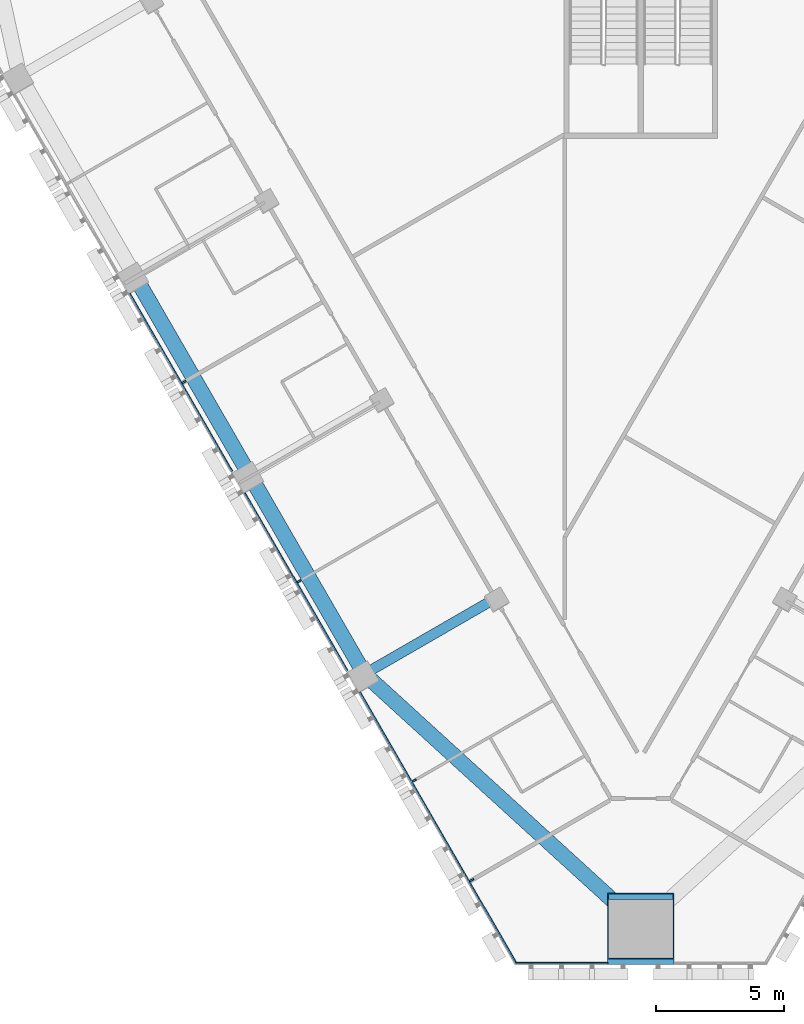
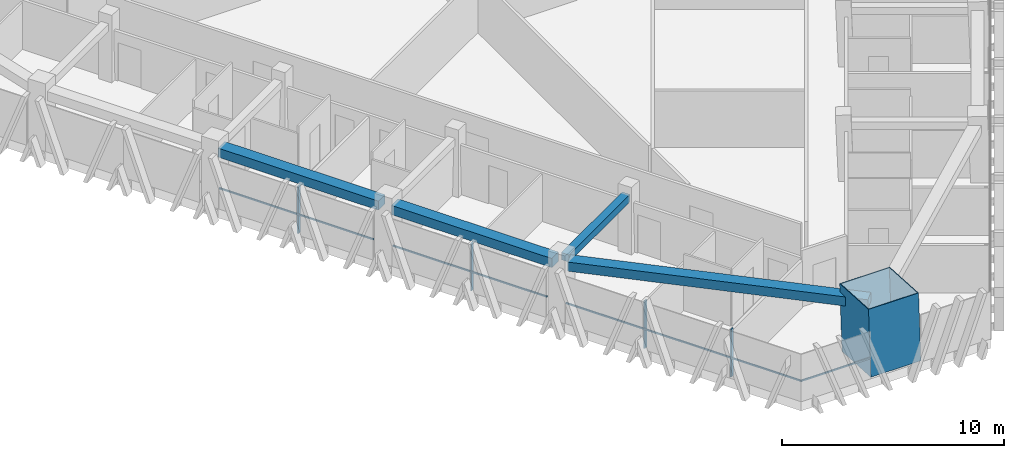
# One storey, part 2 of 18: 9 members, 4 beams, 2 elements without a shape of their own.
"""IFC4 building model written with IfcOpenShell, lengths in metres."""

from ifc_helpers import new_model, si_unit, direction, frame, origin, origin_2d, place, context, subcontext, project, spatial, rectangle, hollow_rectangle, extrude, material, layer, layer_set, material_profile, profile_set, type_object, element, aggregate, save


model = new_model("IFC4")

# Units and contexts
model_context = context("Model", 3, precision=1e-05, world=origin(), true_north=direction((0.0, 1.0)))
body_context = subcontext(model_context, "Body", "Model", "MODEL_VIEW")
ifc_project = project(units=[si_unit("LENGTHUNIT", "METRE"), si_unit("AREAUNIT", "SQUARE_METRE"), si_unit("VOLUMEUNIT", "CUBIC_METRE"), si_unit("PLANEANGLEUNIT", "RADIAN"), si_unit("MASSUNIT", "GRAM", prefix="KILO")], contexts=[model_context])

# Site, building, storey
site_placement = place(None, origin())
site = spatial("IfcSite", under=ifc_project, at=site_placement, CompositionType="ELEMENT")
building_placement = place(site_placement, origin())
building = spatial("IfcBuilding", under=site, at=building_placement, Name="Altiplano Prism Tower", CompositionType="ELEMENT")
storey_placement = place(building_placement, frame((0.0, 0.0, 34.199951171875)))
storey = spatial("IfcBuildingStorey", under=building, at=storey_placement, Name="L07", CompositionType="ELEMENT", Elevation=34.199951171875)

# Curtain wall, members
ifc_material_1 = material(Name="Aluminium and glass", Category="aluminium")
ifc_layer = layer(ifc_material_1, 0.280029296875)
ifc_layer_set = layer_set([ifc_layer], Name="Aluminium and glass")
curtain_wall_type = type_object("IfcCurtainWallType", Name="CW1 typical co-living unitised curtain wall", PredefinedType="NOTDEFINED", material=ifc_layer_set)
curtain_wall_1_placement = place(storey_placement, origin())
curtain_wall_1 = element("IfcCurtainWall", 1, at=curtain_wall_1_placement, inside=storey, type_object=curtain_wall_type, Name="CW1 curtain wall south-west face L07", PredefinedType="NOTDEFINED")
ifc_material_2 = material(Name="Aluminium", Category="aluminium")
ifc_material_profile_1 = material_profile(ifc_material_2, rectangle(XDim=0.179931640625, YDim=0.06494140625, at=origin_2d()), Name="CW1 mullion 65 x 180")
ifc_profile_set_1 = profile_set([ifc_material_profile_1], Name="Aluminium")
member_type_1 = type_object("IfcMemberType", Name="CW1 mullion 65 x 180", PredefinedType="MULLION", material=ifc_profile_set_1)
member_1_placement = place(storey_placement, frame((67.137939453125, 73.8720703125, 0.0), z_axis=(0.0, 0.0, 1.0), x_axis=(0.866025410216, 0.49999998886, 0.0)))
member_1 = element("IfcMember", 2, at=member_1_placement, type_object=member_type_1, Name="CW1 mullion", PredefinedType="MULLION", context=body_context, shape_type="SweptSolid", body=[
    extrude(rectangle(XDim=0.179931640625, YDim=0.06494140625, at=origin_2d()), origin(), (0.0, 0.0, 1.0), 2.60009765625),
])
member_2_placement = place(storey_placement, frame((71.637939453125, 66.077880859375, 0.0), z_axis=(0.0, 0.0, 1.0), x_axis=(0.866025410216, 0.49999998886, 0.0)))
member_2 = element("IfcMember", 3, at=member_2_placement, type_object=member_type_1, Name="CW1 mullion", PredefinedType="MULLION", context=body_context, shape_type="SweptSolid", body=[
    extrude(rectangle(XDim=0.179931640625, YDim=0.06494140625, at=origin_2d()), origin(), (0.0, 0.0, 1.0), 2.60009765625),
])
member_3_placement = place(storey_placement, frame((76.137939453125, 58.28369140625, 0.0), z_axis=(0.0, 0.0, 1.0), x_axis=(0.866025410216, 0.49999998886, 0.0)))
member_3 = element("IfcMember", 4, at=member_3_placement, type_object=member_type_1, Name="CW1 mullion", PredefinedType="MULLION", context=body_context, shape_type="SweptSolid", body=[
    extrude(rectangle(XDim=0.179931640625, YDim=0.06494140625, at=origin_2d()), origin(), (0.0, 0.0, 1.0), 2.60009765625),
])
member_4_placement = place(storey_placement, frame((78.387939453125, 54.386474609375, 0.0), z_axis=(0.0, 0.0, 1.0), x_axis=(0.866025410216, 0.49999998886, 0.0)))
member_4 = element("IfcMember", 5, at=member_4_placement, type_object=member_type_1, Name="CW1 mullion", PredefinedType="MULLION", context=body_context, shape_type="SweptSolid", body=[
    extrude(rectangle(XDim=0.179931640625, YDim=0.06494140625, at=origin_2d()), origin(), (0.0, 0.0, 1.0), 2.60009765625),
])
ifc_material_profile_2 = material_profile(ifc_material_2, rectangle(XDim=0.06005859375, YDim=0.080078125, at=origin_2d()), Name="CW1 transom 80 x 60")
ifc_profile_set_2 = profile_set([ifc_material_profile_2], Name="Aluminium")
member_type_2 = type_object("IfcMemberType", Name="CW1 transom 80 x 60", PredefinedType="USERDEFINED", material=ifc_profile_set_2)
member_5_placement = place(storey_placement, frame((65.009521484375, 77.31884765625, 1.10009765625), z_axis=(0.499989486807, -0.866031473494, 0.0), x_axis=(0.866031473494, 0.499989486807, 0.0)))
member_5 = element("IfcMember", 6, at=member_5_placement, type_object=member_type_2, Name="CW1 transom", ObjectType="TRANSOM", PredefinedType="USERDEFINED", context=body_context, shape_type="SweptSolid", body=[
    extrude(rectangle(XDim=0.06005859375, YDim=0.080078125, at=origin_2d()), origin(), (0.0, 0.0, 1.0), 8.019775390625),
])
member_6_placement = place(storey_placement, frame((69.509521484375, 69.524658203125, 1.10009765625), z_axis=(0.499989486807, -0.866031473494, 0.0), x_axis=(0.866031473494, 0.499989486807, 0.0)))
member_6 = element("IfcMember", 7, at=member_6_placement, type_object=member_type_2, Name="CW1 transom", ObjectType="TRANSOM", PredefinedType="USERDEFINED", context=body_context, shape_type="SweptSolid", body=[
    extrude(rectangle(XDim=0.06005859375, YDim=0.080078125, at=origin_2d()), origin(), (0.0, 0.0, 1.0), 8.019775390625),
])
member_7_placement = place(storey_placement, frame((74.009521484375, 61.73046875, 1.10009765625), z_axis=(0.500001788232, -0.866024371346, 0.0), x_axis=(0.866024371346, 0.500001788232, 0.0)))
member_7 = element("IfcMember", 8, at=member_7_placement, type_object=member_type_2, Name="CW1 transom", ObjectType="TRANSOM", PredefinedType="USERDEFINED", context=body_context, shape_type="SweptSolid", body=[
    extrude(rectangle(XDim=0.06005859375, YDim=0.080078125, at=origin_2d()), origin(), (0.0, 0.0, 1.0), 12.25634765625),
])
aggregate(curtain_wall_1, [member_1, member_5, member_2, member_6, member_3, member_4, member_7])

# Curtain wall, member
curtain_wall_2_placement = place(storey_placement, origin())
curtain_wall_2 = element("IfcCurtainWall", 9, at=curtain_wall_2_placement, inside=storey, type_object=curtain_wall_type, Name="CW1 curtain wall south chamfer L07", PredefinedType="NOTDEFINED")
member_8_placement = place(storey_placement, frame((80.076904296875, 51.151123046875, 1.10009765625), z_axis=(1.0, 0.0, 0.0), x_axis=(0.0, 1.0, 0.0)))
member_8 = element("IfcMember", 10, at=member_8_placement, type_object=member_type_2, Name="CW1 transom", ObjectType="TRANSOM", PredefinedType="USERDEFINED", context=body_context, shape_type="SweptSolid", body=[
    extrude(rectangle(XDim=0.06005859375, YDim=0.080078125, at=origin_2d()), origin(), (0.0, 0.0, 1.0), 3.623046875),
])
aggregate(curtain_wall_2, [member_8])

# Beams
ifc_material_3 = material(Name="Concrete C60/75", Category="concrete")
ifc_material_profile_3 = material_profile(ifc_material_3, rectangle(XDim=0.60009765625, YDim=0.5, at=origin_2d()), Name="Edge beam 600x500")
ifc_profile_set_3 = profile_set([ifc_material_profile_3], Name="Concrete C60/75")
beam_type_1 = type_object("IfcBeamType", Name="Edge beam 600x500", PredefinedType="SPANDREL", material=ifc_profile_set_3)
for number, where, z_axis, x_axis, name in (
    (11, (65.358154296875, 77.751953125, 2.85009765625), (0.499992746786, -0.866029591389, 0.0), (0.866029591389, 0.499992746786, 0.0), "Edge beam P12-P13 L08"),
    (12, (69.858154296875, 69.957763671875, 2.85009765625), (0.499992746786, -0.866029591389, 0.0), (0.866029591389, 0.499992746786, 0.0), "Edge beam P13-P14 L08"),
):
    element("IfcBeam", number, at=place(storey_placement, frame(where, z_axis=z_axis, x_axis=x_axis)), inside=storey, type_object=beam_type_1, Name=name, PredefinedType="SPANDREL", context=body_context, shape_type="SweptSolid", body=[
        extrude(rectangle(XDim=0.60009765625, YDim=0.5, at=origin_2d()), origin(), (0.0, 0.0, 1.0), 8.33984375),
    ])
beam_1_placement = place(storey_placement, frame((74.453369140625, 62.2119140625, 2.85009765625), z_axis=(0.738801964794, -0.673922589632, 0.0), x_axis=(0.673922589632, 0.738801964794, 0.0)))
element("IfcBeam", 13, at=beam_1_placement, inside=storey, type_object=beam_type_1, Name="Edge beam P14-M1 L08", PredefinedType="SPANDREL", context=body_context, shape_type="SweptSolid", body=[
    extrude(rectangle(XDim=0.60009765625, YDim=0.5, at=origin_2d()), origin(), (0.0, 0.0, 1.0), 13.8251953125),
])

# Member
ifc_material_4 = material(Name="Steel S460", Category="steel")
ifc_material_profile_4 = material_profile(ifc_material_4, hollow_rectangle(XDim=2.60009765625, YDim=2.60009765625, WallThickness=0.0400390625, at=origin_2d()), Name="Mega column tube 2600")
ifc_profile_set_4 = profile_set([ifc_material_profile_4], Name="Steel S460")
member_type_3 = type_object("IfcMemberType", Name="Mega column tube 2600", PredefinedType="POST", material=ifc_profile_set_4)
member_9_placement = place(storey_placement, frame((85.0, 52.381103515625, 0.0), z_axis=(0.0, 0.058356907999, 0.998295783467), x_axis=(-1.0, 0.0, 0.0)))
element("IfcMember", 14, at=member_9_placement, inside=storey, type_object=member_type_3, Name="Mega column tube M1 L07", PredefinedType="POST", context=body_context, shape_type="SweptSolid", body=[
    extrude(hollow_rectangle(XDim=2.60009765625, YDim=2.60009765625, WallThickness=0.0400390625, at=origin_2d()), origin(), (0.0, 0.0, 1.0), 3.606201171875),
])

# Beam
ifc_material_profile_5 = material_profile(ifc_material_3, rectangle(XDim=0.39990234375, YDim=0.39990234375, at=origin_2d()), Name="Tie beam 400x400")
ifc_profile_set_5 = profile_set([ifc_material_profile_5], Name="Concrete C60/75")
beam_type_2 = type_object("IfcBeamType", Name="Tie beam 400x400", PredefinedType="BEAM", material=ifc_profile_set_5)
beam_2_placement = place(storey_placement, frame((79.2333984375, 65.359375, 2.900146484375), z_axis=(-0.866012292785, -0.50002270823, 0.0), x_axis=(0.50002270823, -0.866012292785, 0.0)))
element("IfcBeam", 15, at=beam_2_placement, inside=storey, type_object=beam_type_2, Name="Tie beam I14 L08", PredefinedType="BEAM", context=body_context, shape_type="SweptSolid", body=[
    extrude(rectangle(XDim=0.39990234375, YDim=0.39990234375, at=origin_2d()), origin(), (0.0, 0.0, 1.0), 5.489990234375),
])

save(model, "model.ifc")
